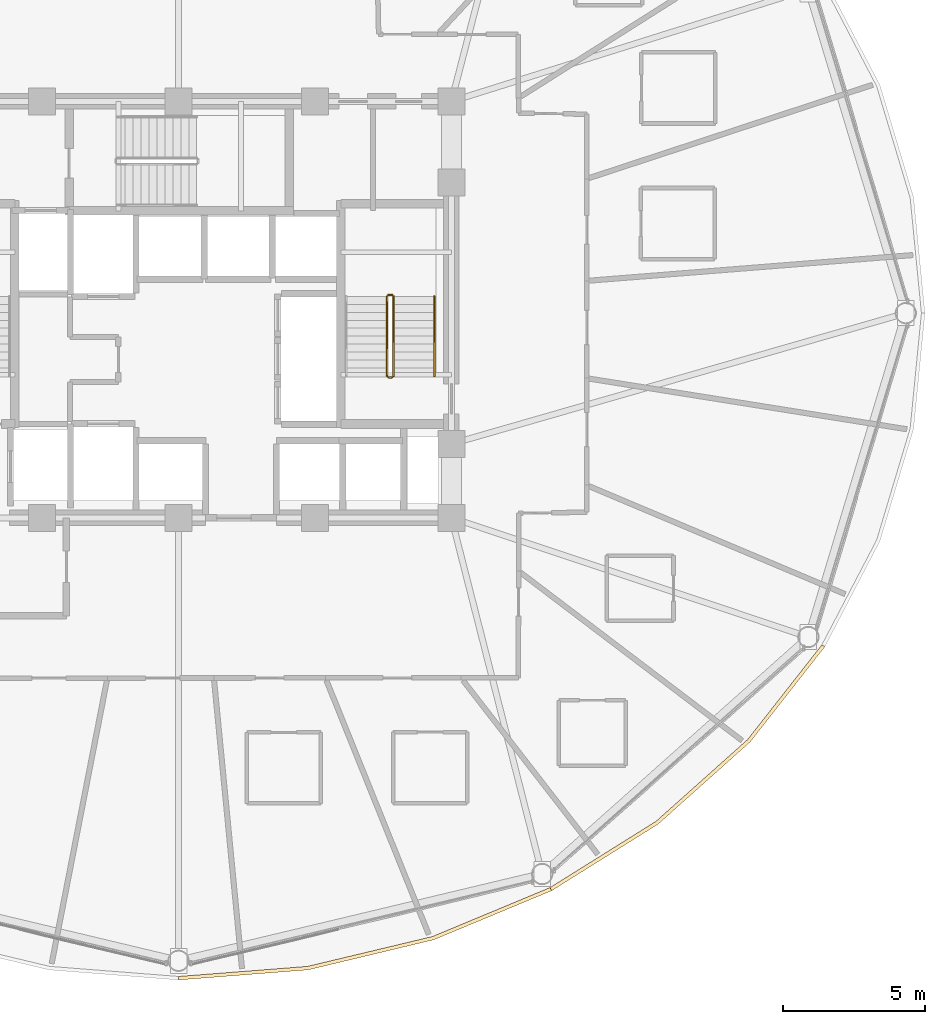
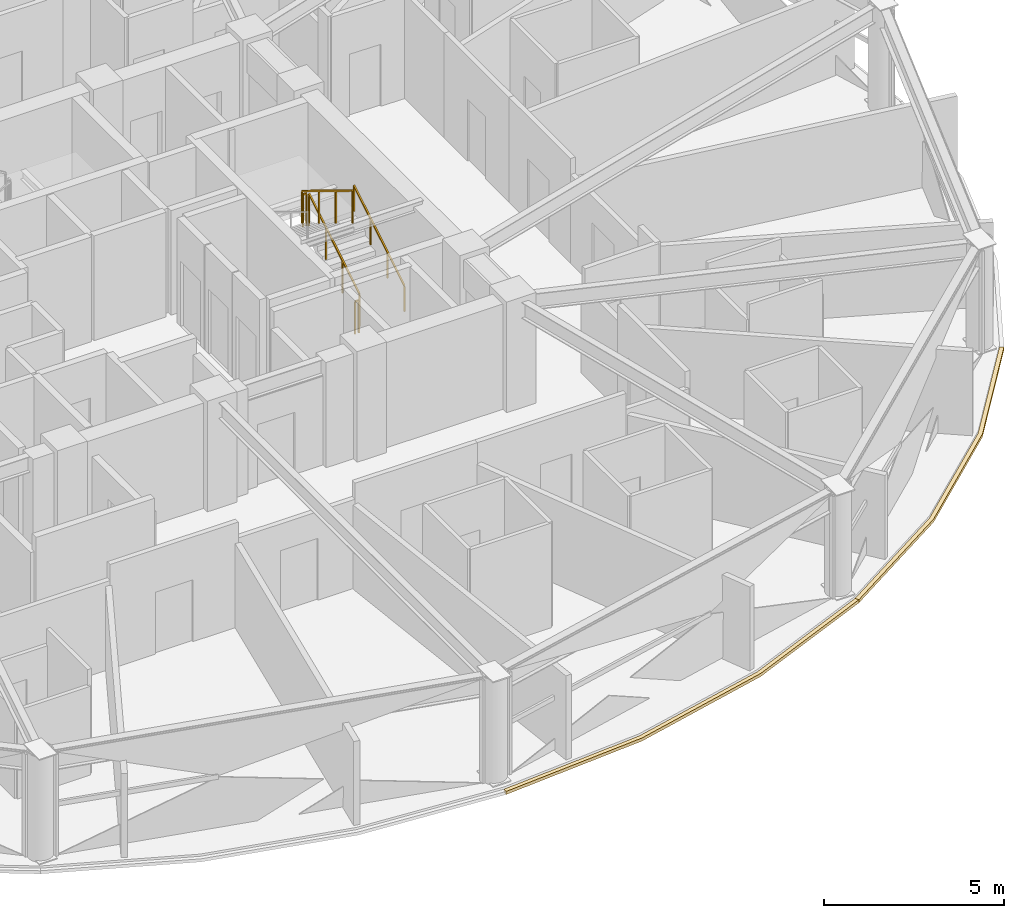
# One storey, part 31 of 32: 5 railings, 2 coverings.
"""IFC4 building model written with IfcOpenShell, lengths in metres."""

import ifcopenshell
import ifcopenshell.guid

model = None  # the IFC model being written
_history = None  # IfcOwnerHistory: only IFC2X3 demands one
_inside = {}  # id of a spatial element -> (the spatial element, [elements in it])
_under = {}  # id of a project, library or spatial element -> (it, [spatial elements below it])
_declared = {}  # id of a project -> (the project, [libraries it declares])
_typed = {}  # id of a type object -> (the type object, [elements of that type])
_made_of = {}  # id of a material, layer set ... -> (it, [elements and type objects made of it])


def new_model(schema):
    """Start an empty IFC model of exactly this schema.

    Asked for "IFC4X3", IfcOpenShell would pick the latest addendum, in which some entities
    have other attributes; the version numbers below select the first issue.
    IFC2X3 requires an IfcOwnerHistory on every rooted entity: one is made here for all.
    """
    global model, _history
    if schema == "IFC4X3":
        model = ifcopenshell.file(schema_version=(4, 3, 0, 0))
    else:
        model = ifcopenshell.file(schema=schema)
    _inside.clear()
    _under.clear()
    _declared.clear()
    _typed.clear()
    _made_of.clear()
    _history = None
    if model.schema == "IFC2X3":
        org = make("IfcOrganization", Name="unknown")
        user = make(
            "IfcPersonAndOrganization",
            ThePerson=make("IfcPerson", FamilyName="unknown"),
            TheOrganization=org,
        )
        app = make(
            "IfcApplication",
            ApplicationDeveloper=org,
            Version="unknown",
            ApplicationFullName="unknown",
            ApplicationIdentifier="unknown",
        )
        _history = make(
            "IfcOwnerHistory",
            OwningUser=user,
            OwningApplication=app,
            ChangeAction="ADDED",
            CreationDate=0,
        )
    return model


def make(cls, **values):
    """One entity of the class cls with the attributes given. An attribute that is None is left unset."""
    return model.create_entity(
        cls, **{name: value for name, value in values.items() if value is not None}
    )


def rooted(cls, **values):
    """An entity with a GlobalId (a new one), such as an element, a storey or a relation."""
    return make(cls, GlobalId=ifcopenshell.guid.new(), OwnerHistory=_history, **values)


def si_unit(unit_type, name, prefix=None):
    """IfcSIUnit, for example si_unit("LENGTHUNIT", "METRE", prefix="MILLI")."""
    return make("IfcSIUnit", UnitType=unit_type, Prefix=prefix, Name=name)


def assignment(units):
    """IfcUnitAssignment: the units of a project."""
    return None if units is None else make("IfcUnitAssignment", Units=units)


def point(xyz):
    """IfcCartesianPoint."""
    return None if xyz is None else make("IfcCartesianPoint", Coordinates=xyz)


def direction(xyz):
    """IfcDirection."""
    return None if xyz is None else make("IfcDirection", DirectionRatios=xyz)


def frame(location, z_axis=None, x_axis=None):
    """IfcAxis2Placement3D, a coordinate frame: its origin and axes. An axis left out is left unset."""
    return make(
        "IfcAxis2Placement3D",
        Location=point(location),
        Axis=direction(z_axis),
        RefDirection=direction(x_axis),
    )


def frame_2d(location, x_axis=None):
    """IfcAxis2Placement2D, a coordinate frame in the plane: its origin and x axis."""
    return make(
        "IfcAxis2Placement2D", Location=point(location), RefDirection=direction(x_axis)
    )


def origin():
    """The frame at (0, 0, 0) with its axes left unset."""
    return frame((0.0, 0.0, 0.0))


def origin_2d():
    """The frame at (0, 0) in the plane with its x axis left unset."""
    return frame_2d((0.0, 0.0))


def place(relative_to, where):
    """IfcLocalPlacement: puts the frame where relative to a parent placement (None: the world)."""
    return make(
        "IfcLocalPlacement", PlacementRelTo=relative_to, RelativePlacement=where
    )


def context(
    kind, dimensions, precision=None, world=None, true_north=None, identifier=None
):
    """IfcGeometricRepresentationContext, for example the 3D "Model" context."""
    return make(
        "IfcGeometricRepresentationContext",
        ContextIdentifier=identifier,
        ContextType=kind,
        CoordinateSpaceDimension=dimensions,
        Precision=precision,
        WorldCoordinateSystem=world,
        TrueNorth=true_north,
    )


def subcontext(parent, identifier, kind, view, scale=None):
    """IfcGeometricRepresentationSubContext, for example "Body" below "Model"."""
    return make(
        "IfcGeometricRepresentationSubContext",
        ContextIdentifier=identifier,
        ContextType=kind,
        ParentContext=parent,
        TargetScale=scale,
        TargetView=view,
    )


def project(units=None, contexts=None):
    """IfcProject with its units and contexts."""
    return rooted(
        "IfcProject",
        Name="project",
        RepresentationContexts=contexts,
        UnitsInContext=assignment(units),
    )


def spatial(cls, under=None, at=None, **own):
    """A site, building, storey or space (cls), placed at a placement, below another one or the project."""
    s = rooted(cls, ObjectPlacement=at, **own)
    if under is not None:
        _under.setdefault(under.id(), (under, []))[1].append(s)
    return s


def polyline(points):
    """IfcPolyline through the points."""
    return make("IfcPolyline", Points=[point(p) for p in points])


def profile(cls, at=None, kind="AREA", **sizes):
    """A parametric profile (cls). Its sizes go by their IFC names, for example OverallWidth=200.0."""
    return make(cls, ProfileType=kind, Position=at, **sizes)


def rectangle(**sizes):
    """IfcRectangleProfileDef."""
    return profile("IfcRectangleProfileDef", **sizes)


def outline(outer, holes=None, kind="AREA"):
    """IfcArbitraryClosedProfileDef: a profile drawn as a closed curve; with holes, ...WithVoids."""
    if holes is None:
        return make("IfcArbitraryClosedProfileDef", ProfileType=kind, OuterCurve=outer)
    return make(
        "IfcArbitraryProfileDefWithVoids",
        ProfileType=kind,
        OuterCurve=outer,
        InnerCurves=holes,
    )


def extrude(swept, where, along, depth):
    """IfcExtrudedAreaSolid: the profile swept, set in the frame where, extruded along a direction by depth."""
    return make(
        "IfcExtrudedAreaSolid",
        SweptArea=swept,
        Position=where,
        ExtrudedDirection=direction(along),
        Depth=depth,
    )


def shape(context_of_items, identifier, shape_type, items):
    """IfcShapeRepresentation: the items that make up one representation, for example the "Body"."""
    return make(
        "IfcShapeRepresentation",
        ContextOfItems=context_of_items,
        RepresentationIdentifier=identifier,
        RepresentationType=shape_type,
        Items=items,
    )


def material(Name=None, Category=None):
    """IfcMaterial."""
    return make("IfcMaterial", Name=Name, Category=Category)


def layer(
    of_material, thickness, ventilated=None, Name=None, Category=None, Priority=None
):
    """IfcMaterialLayer: one layer of a wall or slab, of a material (None: an air gap)."""
    return make(
        "IfcMaterialLayer",
        Material=of_material,
        LayerThickness=thickness,
        IsVentilated=ventilated,
        Name=Name,
        Category=Category,
        Priority=Priority,
    )


def layer_set(layers, Name=None):
    """IfcMaterialLayerSet."""
    return make("IfcMaterialLayerSet", MaterialLayers=layers, LayerSetName=Name)


def made_of(thing, what):
    """Note that an element or type object is made of a material, layer set ...; save() writes the relation."""
    if what is not None:
        _made_of.setdefault(what.id(), (what, []))[1].append(thing)
    return thing


def type_object(cls, material=None, **own):
    """A type object (cls), such as IfcWallType, which elements share."""
    return made_of(rooted(cls, **own), material)


def element(
    cls,
    number,
    at=None,
    inside=None,
    cuts=None,
    type_object=None,
    material=None,
    context=None,
    identifier="Body",
    shape_type=None,
    held_by="IfcProductDefinitionShape",
    body=None,
    shapes=None,
    **own,
):
    """One element of the class cls, such as IfcWall. Its Tag is "e" and its number.

    at: its placement. inside: the storey or other place that contains it. cuts: it is an
    opening in that element (IfcRelVoidsElement). A single representation is given by context,
    identifier, shape_type and body (its items); several are given by shapes. held_by: the class
    of the entity that holds the representations. save() writes the other relations.
    """
    e = rooted(cls, Tag="e%d" % number, ObjectPlacement=at, **own)
    if body is not None:
        shapes = [shape(context, identifier, shape_type, body)]
    if shapes is not None:
        e.Representation = make(held_by, Representations=shapes)
    if inside is not None:
        _inside.setdefault(inside.id(), (inside, []))[1].append(e)
    if cuts is not None:
        rooted(
            "IfcRelVoidsElement", RelatingBuildingElement=cuts, RelatedOpeningElement=e
        )
    if type_object is not None:
        _typed.setdefault(type_object.id(), (type_object, []))[1].append(e)
    return made_of(e, material)


def aggregate(whole, parts):
    """IfcRelAggregates: a whole, such as a stair, and the parts it consists of."""
    return rooted("IfcRelAggregates", RelatingObject=whole, RelatedObjects=parts)


def save(model, path):
    """Write the relations noted so far, then the file.

    IfcRelAggregates (storeys below a building ...), IfcRelContainedInSpatialStructure (elements
    in a storey), IfcRelDefinesByType, IfcRelAssociatesMaterial and IfcRelDeclares: one each for
    every whole, place, type object, material and project.
    """
    for whole, parts in _under.values():
        aggregate(whole, parts)
    for where, things in _inside.values():
        rooted(
            "IfcRelContainedInSpatialStructure",
            RelatedElements=things,
            RelatingStructure=where,
        )
    for kind, things in _typed.values():
        rooted("IfcRelDefinesByType", RelatedObjects=things, RelatingType=kind)
    for what, things in _made_of.values():
        rooted("IfcRelAssociatesMaterial", RelatedObjects=things, RelatingMaterial=what)
    for by, libraries in _declared.values():
        rooted("IfcRelDeclares", RelatingContext=by, RelatedDefinitions=libraries)
    model.write(path)


model = new_model("IFC4")

# Units and contexts
model_context = context("Model", 3, precision=1e-05, world=origin(), true_north=direction((0.0, 1.0)))
body_context = subcontext(model_context, "Body", "Model", "MODEL_VIEW")
ifc_project = project(units=[si_unit("LENGTHUNIT", "METRE"), si_unit("AREAUNIT", "SQUARE_METRE"), si_unit("VOLUMEUNIT", "CUBIC_METRE"), si_unit("PLANEANGLEUNIT", "RADIAN"), si_unit("MASSUNIT", "GRAM", prefix="KILO")], contexts=[model_context])

# Site, building, storey
site_placement = place(None, origin())
site = spatial("IfcSite", under=ifc_project, at=site_placement, CompositionType="ELEMENT")
building_placement = place(site_placement, origin())
building = spatial("IfcBuilding", under=site, at=building_placement, Name="Vantalir Tower", CompositionType="ELEMENT")
storey_placement = place(building_placement, frame((0.0, 0.0, 108.449951171875)))
storey = spatial("IfcBuildingStorey", under=building, at=storey_placement, Name="L26", CompositionType="ELEMENT", Elevation=108.449951171875)

# Coverings
ifc_material_1 = material(Name="Anodised champagne aluminium sill fascia", Category="aluminium")
ifc_layer = layer(ifc_material_1, 0.125)
ifc_layer_set = layer_set([ifc_layer], Name="Anodised champagne aluminium sill fascia")
covering_type = type_object("IfcCoveringType", Name="COV-SLAB-FASCIA-125", PredefinedType="CLADDING", material=ifc_layer_set)
covering_1_placement = place(storey_placement, frame((0.0, 0.0, -0.179931640625)))
element("IfcCovering", 1, at=covering_1_placement, inside=storey, type_object=covering_type, Name="L26 Perimeter Slab-Edge Sill Fascia 10", PredefinedType="CLADDING", context=body_context, shape_type="SweptSolid", body=[
    extrude(outline(polyline([(31.5, 1.537109375), (36.06103515625, 1.89306640625), (40.48193359375, 2.951904296875), (44.632080078125, 4.679931640625), (44.569091796875, 4.7890625), (40.43994140625, 3.069091796875), (36.0390625, 2.01708984375), (31.5, 1.662109375), (31.5, 1.537109375)])), origin(), (0.0, 0.0, 1.0), 0.10498046875),
])
covering_2_placement = place(storey_placement, frame((0.0, 0.0, -0.179931640625)))
element("IfcCovering", 2, at=covering_2_placement, inside=storey, type_object=covering_type, Name="L26 Perimeter Slab-Edge Sill Fascia 11", PredefinedType="CLADDING", context=body_context, shape_type="SweptSolid", body=[
    extrude(outline(polyline([(44.632080078125, 4.679931640625), (48.382080078125, 7.02587890625), (51.618896484375, 9.91796875), (54.243896484375, 13.26806640625), (54.135986328125, 13.3310546875), (51.52294921875, 9.9990234375), (48.301025390625, 7.1220703125), (44.569091796875, 4.7890625), (44.632080078125, 4.679931640625)])), origin(), (0.0, 0.0, 1.0), 0.10498046875),
])

# Railings
ifc_material_2 = material(Name="Anodised aluminium and stainless steel guard", Category="steel")
railing_type_1 = type_object("IfcRailingType", Name="RAL-GUARD-1120", PredefinedType="GUARDRAIL", material=ifc_material_2)
railing_1_placement = place(storey_placement, frame((39.06005859375, 22.7900390625, 0.17041015625)))
element("IfcRailing", 3, at=railing_1_placement, inside=storey, type_object=railing_type_1, Name="L26 ST2 stair guard 1", PredefinedType="GUARDRAIL", context=body_context, shape_type="SweptSolid", body=[
    extrude(rectangle(XDim=0.048095703125, YDim=0.048095703125, at=origin_2d()), frame((0.0, 0.0, 1.09619140625), z_axis=(0.0, 0.854169791009, 0.51999420009), x_axis=(-1.0, 0.0, 0.0)), (0.0, 0.0, 1.0), 3.278076171875),
    extrude(rectangle(XDim=0.0419921875, YDim=0.0419921875, at=origin_2d()), origin(), (0.0, 0.0, 1.0), 1.072021484375),
    extrude(rectangle(XDim=0.0419921875, YDim=0.0419921875, at=origin_2d()), frame((0.0, 0.933349609375, 0.568115234375)), (0.0, 0.0, 1.0), 1.072021484375),
    extrude(rectangle(XDim=0.0419921875, YDim=0.0419921875, at=origin_2d()), frame((0.0, 1.86669921875, 1.136474609375)), (0.0, 0.0, 1.0), 1.072021484375),
    extrude(rectangle(XDim=0.0419921875, YDim=0.0419921875, at=origin_2d()), frame((0.0, 2.800048828125, 1.70458984375)), (0.0, 0.0, 1.0), 1.072021484375),
])
railing_2_placement = place(storey_placement, frame((39.010009765625, 25.639892578125, 1.875)))
element("IfcRailing", 4, at=railing_2_placement, inside=storey, type_object=railing_type_1, Name="L26 ST2 stair guard 2", PredefinedType="GUARDRAIL", context=body_context, shape_type="SweptSolid", body=[
    extrude(rectangle(XDim=0.048095703125, YDim=0.048095703125, at=origin_2d()), frame((0.0, 0.0, 1.09619140625), z_axis=(-1.0, 0.0, 0.0), x_axis=(0.0, -1.0, 0.0)), (0.0, 0.0, 1.0), 0.1201171875),
    extrude(rectangle(XDim=0.0419921875, YDim=0.0419921875, at=origin_2d()), origin(), (0.0, 0.0, 1.0), 1.072021484375),
    extrude(rectangle(XDim=0.0419921875, YDim=0.0419921875, at=origin_2d()), frame((-0.1201171875, 0.0, 0.0)), (0.0, 0.0, 1.0), 1.072021484375),
])
railing_3_placement = place(storey_placement, frame((38.840087890625, 25.590087890625, 2.04541015625)))
element("IfcRailing", 5, at=railing_3_placement, inside=storey, type_object=railing_type_1, Name="L26 ST2 stair guard 3", PredefinedType="GUARDRAIL", context=body_context, shape_type="SweptSolid", body=[
    extrude(rectangle(XDim=0.048095703125, YDim=0.048095703125, at=origin_2d()), frame((0.0, 0.0, 1.09619140625), z_axis=(0.0, -0.854169791009, 0.51999420009), x_axis=(1.0, 0.0, 0.0)), (0.0, 0.0, 1.0), 3.278076171875),
    extrude(rectangle(XDim=0.0419921875, YDim=0.0419921875, at=origin_2d()), origin(), (0.0, 0.0, 1.0), 1.072021484375),
    extrude(rectangle(XDim=0.0419921875, YDim=0.0419921875, at=origin_2d()), frame((0.0, -0.933349609375, 0.568115234375)), (0.0, 0.0, 1.0), 1.072021484375),
    extrude(rectangle(XDim=0.0419921875, YDim=0.0419921875, at=origin_2d()), frame((0.0, -1.86669921875, 1.136474609375)), (0.0, 0.0, 1.0), 1.072021484375),
    extrude(rectangle(XDim=0.0419921875, YDim=0.0419921875, at=origin_2d()), frame((0.0, -2.800048828125, 1.70458984375)), (0.0, 0.0, 1.0), 1.072021484375),
])
railing_4_placement = place(storey_placement, frame((39.010009765625, 22.739990234375, 0.0)))
element("IfcRailing", 6, at=railing_4_placement, inside=storey, type_object=railing_type_1, Name="L26 ST2 stair guard 4", PredefinedType="GUARDRAIL", context=body_context, shape_type="SweptSolid", body=[
    extrude(rectangle(XDim=0.048095703125, YDim=0.048095703125, at=origin_2d()), frame((0.0, 0.0, 1.09619140625), z_axis=(-1.0, 0.0, 0.0), x_axis=(0.0, -1.0, 0.0)), (0.0, 0.0, 1.0), 0.1201171875),
    extrude(rectangle(XDim=0.0419921875, YDim=0.0419921875, at=origin_2d()), origin(), (0.0, 0.0, 1.0), 1.072021484375),
    extrude(rectangle(XDim=0.0419921875, YDim=0.0419921875, at=origin_2d()), frame((-0.1201171875, 0.0, 0.0)), (0.0, 0.0, 1.0), 1.072021484375),
])
ifc_material_3 = material(Name="Brushed stainless steel tubular handrail", Category="steel")
railing_type_2 = type_object("IfcRailingType", Name="RAL-HANDRAIL-900", PredefinedType="HANDRAIL", material=ifc_material_3)
railing_5_placement = place(storey_placement, frame((40.5, 22.7900390625, 0.17041015625)))
element("IfcRailing", 7, at=railing_5_placement, inside=storey, type_object=railing_type_2, Name="L26 ST2 stair handrail 1", PredefinedType="HANDRAIL", context=body_context, shape_type="SweptSolid", body=[
    extrude(rectangle(XDim=0.048095703125, YDim=0.048095703125, at=origin_2d()), frame((0.0, 0.0, 0.8759765625), z_axis=(0.0, 0.854169791009, 0.51999420009), x_axis=(-1.0, 0.0, 0.0)), (0.0, 0.0, 1.0), 3.278076171875),
    extrude(rectangle(XDim=0.0419921875, YDim=0.0419921875, at=origin_2d()), origin(), (0.0, 0.0, 1.0), 0.851806640625),
    extrude(rectangle(XDim=0.0419921875, YDim=0.0419921875, at=origin_2d()), frame((0.0, 0.933349609375, 0.568115234375)), (0.0, 0.0, 1.0), 0.851806640625),
    extrude(rectangle(XDim=0.0419921875, YDim=0.0419921875, at=origin_2d()), frame((0.0, 1.86669921875, 1.136474609375)), (0.0, 0.0, 1.0), 0.851806640625),
    extrude(rectangle(XDim=0.0419921875, YDim=0.0419921875, at=origin_2d()), frame((0.0, 2.800048828125, 1.70458984375)), (0.0, 0.0, 1.0), 0.851806640625),
])

save(model, "model.ifc")
